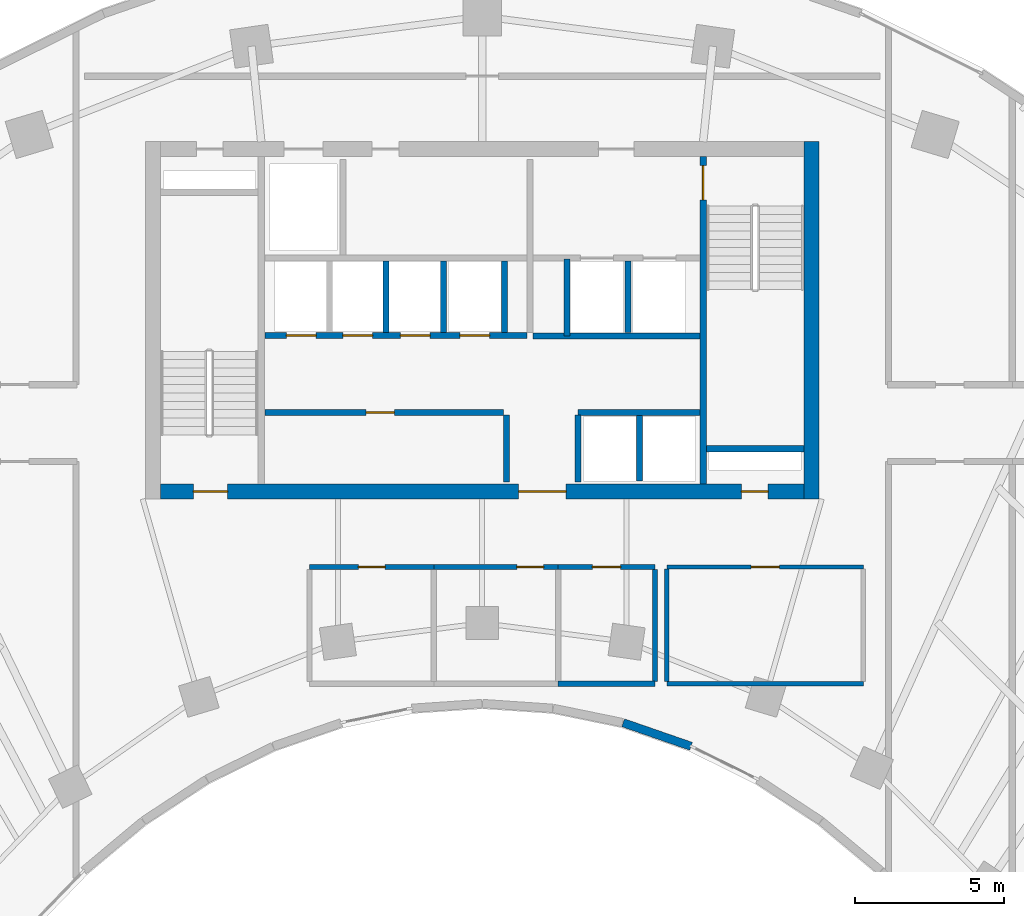
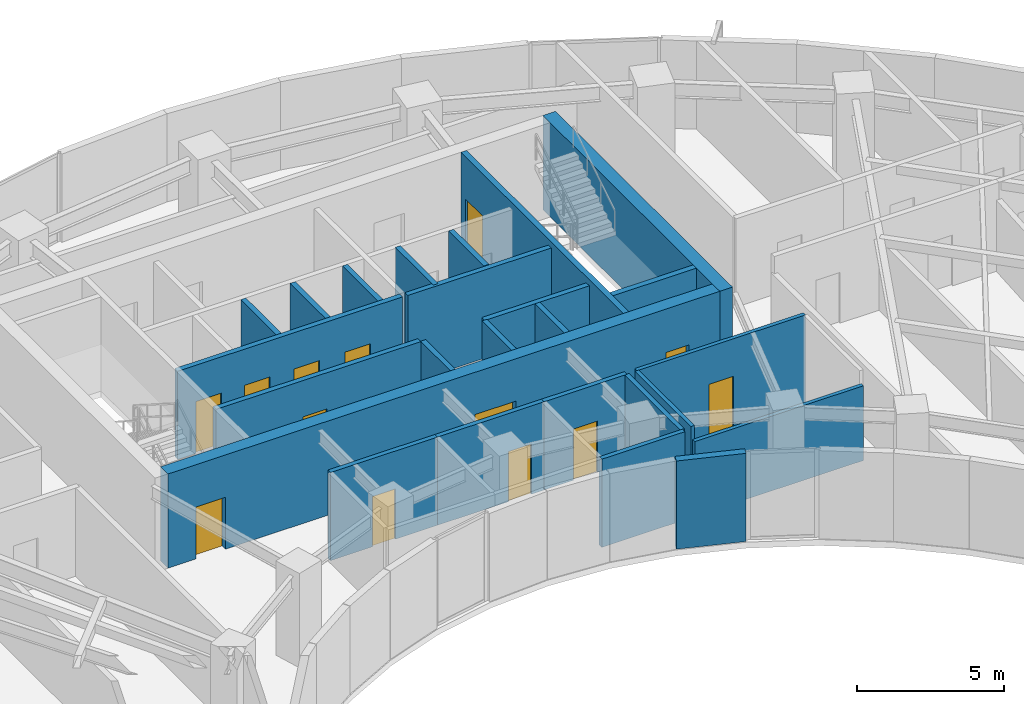
# One storey, part 9 of 14: 25 walls, 13 doors, 13 openings.
"""IFC4 building model written with IfcOpenShell, lengths in metres."""

from ifc_helpers import new_model, si_unit, direction, frame, frame_2d, origin, place, context, subcontext, project, spatial, rectangle, extrude, source, transform, mapped, material, layer, layer_set, type_object, type_shapes, element, fill, save


model = new_model("IFC4")

# Units and contexts
model_context = context("Model", 3, precision=1e-05, world=origin(), true_north=direction((0.0, 1.0)))
body_context = subcontext(model_context, "Body", "Model", "MODEL_VIEW")
ifc_project = project(units=[si_unit("LENGTHUNIT", "METRE"), si_unit("AREAUNIT", "SQUARE_METRE"), si_unit("VOLUMEUNIT", "CUBIC_METRE"), si_unit("PLANEANGLEUNIT", "RADIAN"), si_unit("MASSUNIT", "GRAM", prefix="KILO")], contexts=[model_context])

# Site, building, storey
site_placement = place(None, origin())
site = spatial("IfcSite", under=ifc_project, at=site_placement, CompositionType="ELEMENT")
building_placement = place(site_placement, origin())
building = spatial("IfcBuilding", under=site, at=building_placement, Name="Breltana Convention Tower", CompositionType="ELEMENT")
storey_placement = place(building_placement, frame((0.0, 0.0, 131.10009765625)))
storey = spatial("IfcBuildingStorey", under=building, at=storey_placement, Name="L31", CompositionType="ELEMENT", Elevation=131.10009765625)

# Wall
ifc_material_1 = material(Name="Concrete C60/75", Category="concrete")
ifc_layer_1 = layer(ifc_material_1, 0.5, Name="Concrete C60/75")
ifc_layer_set_1 = layer_set([ifc_layer_1], Name="Concrete C60/75")
wall_type_1 = type_object("IfcWallType", Name="SW-CORE-500", PredefinedType="SHEAR", material=ifc_layer_set_1)
shared_shape_1 = source(origin(), body_context, "Body", "SweptSolid", [
    extrude(rectangle(XDim=12.0, YDim=0.5, at=frame_2d((6.0, 0.0))), origin(), (0.0, 0.0, 1.0), 3.89990234375),
])
wall_1_placement = place(storey_placement, frame((59.050048828125, 60.199951171875, 0.0), z_axis=(0.0, 0.0, 1.0), x_axis=(0.0, 1.0, 0.0)))
element("IfcWall", 1, at=wall_1_placement, inside=storey, type_object=wall_type_1, Name="L31 East Core Shear Wall", PredefinedType="SHEAR", context=body_context, shape_type="MappedRepresentation", body=[
    mapped(shared_shape_1, transform((0.0, 0.0, 0.0), scale=1.0)),
])

# Wall, openings, doors
shared_shape_2 = source(origin(), body_context, "Body", "SweptSolid", [
    extrude(rectangle(XDim=21.60009765625, YDim=0.5, at=frame_2d((10.800048828125, 0.0))), origin(), (0.0, 0.0, 1.0), 3.89990234375),
])
wall_2_placement = place(storey_placement, frame((37.199951171875, 60.449951171875, 0.0), z_axis=(0.0, 0.0, 1.0), x_axis=(1.0, 0.0, 0.0)))
wall_2 = element("IfcWall", 2, at=wall_2_placement, inside=storey, type_object=wall_type_1, Name="L31 South Core Shear Wall", PredefinedType="SHEAR", context=body_context, shape_type="MappedRepresentation", body=[
    mapped(shared_shape_2, transform((0.0, 0.0, 0.0), scale=1.0)),
])
opening_1_placement = place(wall_2_placement, frame((1.10009765625, 0.0, 0.0)))
opening_1 = element("IfcOpeningElement", 3, at=opening_1_placement, cuts=wall_2, Name="Opening D-11", PredefinedType="OPENING", context=body_context, shape_type="SweptSolid", body=[
    extrude(rectangle(XDim=1.14990234375, YDim=2.14990234375, at=frame_2d((0.574951171875, 1.074951171875))), frame((0.0, 0.260009765625, 0.0), z_axis=(0.0, -1.0, 0.0), x_axis=(1.0, 0.0, 0.0)), (0.0, 0.0, 1.0), 0.52001953125),
])
opening_2_placement = place(wall_2_placement, frame((19.5, 0.0, 0.0)))
opening_2 = element("IfcOpeningElement", 4, at=opening_2_placement, cuts=wall_2, Name="Opening D-18", PredefinedType="OPENING", context=body_context, shape_type="SweptSolid", body=[
    extrude(rectangle(XDim=0.89990234375, YDim=2.10009765625, at=frame_2d((0.449951171875, 1.050048828125))), frame((0.0, 0.260009765625, 0.0), z_axis=(0.0, -1.0, 0.0), x_axis=(1.0, 0.0, 0.0)), (0.0, 0.0, 1.0), 0.52001953125),
])
opening_3_placement = place(wall_2_placement, frame((12.02001953125, 0.0, 0.0)))
opening_3 = element("IfcOpeningElement", 5, at=opening_3_placement, cuts=wall_2, Name="Opening D-02", PredefinedType="OPENING", context=body_context, shape_type="SweptSolid", body=[
    extrude(rectangle(XDim=1.60009765625, YDim=2.14990234375, at=frame_2d((0.800048828125, 1.074951171875))), frame((0.0, 0.260009765625, 0.0), z_axis=(0.0, -1.0, 0.0), x_axis=(1.0, 0.0, 0.0)), (0.0, 0.0, 1.0), 0.52001953125),
])
ifc_material_2 = material(Name="Steel Stair Exit Door", Category="steel")
door_type_1 = type_object("IfcDoorType", Name="DR-FD120-1150", OperationType="NOTDEFINED", PredefinedType="DOOR", material=ifc_material_2)
shared_shape_3 = source(origin(), body_context, "Body", "SweptSolid", [
    extrude(rectangle(XDim=1.14990234375, YDim=2.14990234375, at=frame_2d((0.574951171875, 1.074951171875))), frame((0.0, 0.02490234375, 0.0), z_axis=(0.0, -1.0, 0.0), x_axis=(1.0, 0.0, 0.0)), (0.0, 0.0, 1.0), 0.050048828125),
])
type_shapes(door_type_1, [shared_shape_3])
door_1_placement = place(opening_1_placement, origin())
door_1 = element("IfcDoor", 6, at=door_1_placement, inside=storey, type_object=door_type_1, Name="L31 interior door D-L31-ST1", OperationType="SINGLE_SWING_LEFT", OverallHeight=2.14990234375, OverallWidth=1.14990234375, PredefinedType="DOOR", context=body_context, shape_type="MappedRepresentation", body=[
    mapped(shared_shape_3, transform((0.0, 0.0, 0.0), scale=1.0)),
])
fill(opening_1, door_1)
ifc_material_3 = material(Name="Steel Riser Fire Door", Category="steel")
door_type_2 = type_object("IfcDoorType", Name="DR-FD60-900", OperationType="NOTDEFINED", PredefinedType="DOOR", material=ifc_material_3)
shared_shape_4 = source(origin(), body_context, "Body", "SweptSolid", [
    extrude(rectangle(XDim=0.89990234375, YDim=2.10009765625, at=frame_2d((0.449951171875, 1.050048828125))), frame((0.0, 0.02490234375, 0.0), z_axis=(0.0, -1.0, 0.0), x_axis=(1.0, 0.0, 0.0)), (0.0, 0.0, 1.0), 0.050048828125),
])
type_shapes(door_type_2, [shared_shape_4])
door_2_placement = place(opening_2_placement, origin())
door_2 = element("IfcDoor", 7, at=door_2_placement, inside=storey, type_object=door_type_2, Name="L31 Core Riser Access Door D-L31-RS2", OperationType="SINGLE_SWING_RIGHT", OverallHeight=2.10009765625, OverallWidth=0.89990234375, PredefinedType="DOOR", context=body_context, shape_type="MappedRepresentation", body=[
    mapped(shared_shape_4, transform((0.0, 0.0, 0.0), scale=1.0)),
])
fill(opening_2, door_2)
ifc_material_4 = material(Name="Steel Glazed Smoke-Control Door", Category="steel")
door_type_3 = type_object("IfcDoorType", Name="DR-DBL-FD90-1600", OperationType="DOUBLE_DOOR_SINGLE_SWING", PredefinedType="DOOR", material=ifc_material_4)
shared_shape_5 = source(origin(), body_context, "Body", "SweptSolid", [
    extrude(rectangle(XDim=1.60009765625, YDim=2.14990234375, at=frame_2d((0.800048828125, 1.074951171875))), frame((0.0, 0.02490234375, 0.0), z_axis=(0.0, -1.0, 0.0), x_axis=(1.0, 0.0, 0.0)), (0.0, 0.0, 1.0), 0.050048828125),
])
type_shapes(door_type_3, [shared_shape_5])
door_3_placement = place(opening_3_placement, origin())
door_3 = element("IfcDoor", 8, at=door_3_placement, inside=storey, type_object=door_type_3, Name="L31 interior door D-L31-LLB-S", OperationType="DOUBLE_DOOR_SINGLE_SWING", OverallHeight=2.14990234375, OverallWidth=1.60009765625, PredefinedType="DOOR", context=body_context, shape_type="MappedRepresentation", body=[
    mapped(shared_shape_5, transform((0.0, 0.0, 0.0), scale=1.0)),
])
fill(opening_3, door_3)

# Wall
ifc_material_5 = material(Name="Concrete C50/60", Category="concrete")
ifc_layer_2 = layer(ifc_material_5, 0.39990234375, Name="Concrete C50/60")
ifc_layer_set_2 = layer_set([ifc_layer_2], Name="Concrete C50/60")
wall_type_2 = type_object("IfcWallType", Name="SW-CORE-400", PredefinedType="SHEAR", material=ifc_layer_set_2)
shared_shape_6 = source(origin(), body_context, "Body", "SweptSolid", [
    extrude(rectangle(XDim=3.27001953125, YDim=0.219970703125, at=frame_2d((1.635009765625, 0.0))), origin(), (0.0, 0.0, 1.0), 3.89990234375),
])
wall_3_placement = place(storey_placement, frame((55.530029296875, 61.889892578125, 0.0), z_axis=(0.0, 0.0, 1.0), x_axis=(1.0, 0.0, 0.0)))
element("IfcWall", 9, at=wall_3_placement, inside=storey, type_object=wall_type_2, Name="L31 ST-2 Stairwell South Bearing Wall", PredefinedType="SHEAR", context=body_context, shape_type="MappedRepresentation", body=[
    mapped(shared_shape_6, transform((0.0, 0.0, 0.0), scale=1.0)),
])

# Wall, opening, door
shared_shape_7 = source(origin(), body_context, "Body", "SweptSolid", [
    extrude(rectangle(XDim=11.0, YDim=0.219970703125, at=frame_2d((5.5, 0.0))), origin(), (0.0, 0.0, 1.0), 3.89990234375),
])
wall_4_placement = place(storey_placement, frame((55.419921875, 60.699951171875, 0.0), z_axis=(0.0, 0.0, 1.0), x_axis=(0.0, 1.0, 0.0)))
wall_4 = element("IfcWall", 10, at=wall_4_placement, inside=storey, type_object=wall_type_2, Name="L31 Core East Stair Spine Wall", PredefinedType="SHEAR", context=body_context, shape_type="MappedRepresentation", body=[
    mapped(shared_shape_7, transform((0.0, 0.0, 0.0), scale=1.0)),
])
opening_4_placement = place(wall_4_placement, frame((9.544921875, 0.0, 0.0)))
opening_4 = element("IfcOpeningElement", 11, at=opening_4_placement, cuts=wall_4, Name="Opening D-11", PredefinedType="OPENING", context=body_context, shape_type="SweptSolid", body=[
    extrude(rectangle(XDim=1.14990234375, YDim=2.14990234375, at=frame_2d((0.574951171875, 1.074951171875))), frame((0.0, 0.1201171875, 0.0), z_axis=(0.0, -1.0, 0.0), x_axis=(1.0, 0.0, 0.0)), (0.0, 0.0, 1.0), 0.239990234375),
])
door_4_placement = place(opening_4_placement, origin())
door_4 = element("IfcDoor", 12, at=door_4_placement, inside=storey, type_object=door_type_1, Name="L31 interior door D-L31-ST2", OperationType="SINGLE_SWING_LEFT", OverallHeight=2.14990234375, OverallWidth=1.14990234375, PredefinedType="DOOR", context=body_context, shape_type="MappedRepresentation", body=[
    mapped(shared_shape_3, transform((0.0, 0.0, 0.0), scale=1.0)),
])
fill(opening_4, door_4)

# Walls
ifc_material_6 = material(Name="Limestone Buff Insulated Wall", Category="masonry")
ifc_layer_3 = layer(ifc_material_6, 0.280029296875, Name="Limestone Buff Insulated Wall")
ifc_layer_set_3 = layer_set([ifc_layer_3], Name="Limestone Buff Insulated Wall")
wall_type_3 = type_object("IfcWallType", Name="WL-EXT-NOSE-280", PredefinedType="SOLIDWALL", material=ifc_layer_set_3)
shared_shape_8 = source(origin(), body_context, "Body", "SweptSolid", [
    extrude(rectangle(XDim=2.41064453125, YDim=0.280029296875, at=frame_2d((1.205322265625, 0.0))), origin(), (0.0, 0.0, 1.0), 3.64990234375),
])
wall_5_placement = place(storey_placement, frame((55.01171875, 51.8994140625, 0.0), z_axis=(0.0, 0.0, 1.0), x_axis=(-0.944880068161, 0.327416640982, 0.0)))
element("IfcWall", 13, at=wall_5_placement, inside=storey, type_object=wall_type_3, Name="L31 curved limestone nose wall E10", PredefinedType="SOLIDWALL", context=body_context, shape_type="MappedRepresentation", body=[
    mapped(shared_shape_8, transform((0.0, 0.0, 0.0), scale=1.0)),
])
ifc_material_7 = material(Name="Autoclaved Aerated Concrete Block", Category="concrete")
ifc_layer_4 = layer(ifc_material_7, 0.199951171875, Name="Autoclaved Aerated Concrete Block")
ifc_layer_set_4 = layer_set([ifc_layer_4], Name="Autoclaved Aerated Concrete Block")
wall_type_4 = type_object("IfcWallType", Name="WL-SHAFT-200", PredefinedType="SOLIDWALL", material=ifc_layer_set_4)
shared_shape_9 = source(origin(), body_context, "Body", "SweptSolid", [
    extrude(rectangle(XDim=2.239990234375, YDim=0.199951171875, at=frame_2d((1.1201171875, 0.0))), origin(), (0.0, 0.0, 1.0), 3.64990234375),
])
for number, where, z_axis, x_axis, name in (
    (14, (48.820068359375, 60.780029296875, 0.0), (0.0, 0.0, 1.0), (0.0, 1.0, 0.0), "L31 interior partition W-L31-PORT-W"),
    (15, (51.219970703125, 60.780029296875, 0.0), (0.0, 0.0, 1.0), (0.0, 1.0, 0.0), "L31 interior partition W-L31-PORT-E"),
):
    element("IfcWall", number, at=place(storey_placement, frame(where, z_axis=z_axis, x_axis=x_axis)), inside=storey, type_object=wall_type_4, Name=name, PredefinedType="SOLIDWALL", context=body_context, shape_type="MappedRepresentation", body=[
        mapped(shared_shape_9, transform((0.0, 0.0, 0.0), scale=1.0)),
    ])
shared_shape_10 = source(origin(), body_context, "Body", "SweptSolid", [
    extrude(rectangle(XDim=5.6201171875, YDim=0.199951171875, at=frame_2d((2.81005859375, 0.0))), origin(), (0.0, 0.0, 1.0), 3.64990234375),
])
wall_6_placement = place(storey_placement, frame((49.699951171875, 65.679931640625, 0.0), z_axis=(0.0, 0.0, 1.0), x_axis=(1.0, 0.0, 0.0)))
element("IfcWall", 16, at=wall_6_placement, inside=storey, type_object=wall_type_4, Name="L31 interior partition W-L31-FL-S", PredefinedType="SOLIDWALL", context=body_context, shape_type="MappedRepresentation", body=[
    mapped(shared_shape_10, transform((0.0, 0.0, 0.0), scale=1.0)),
])
shared_shape_11 = source(origin(), body_context, "Body", "SweptSolid", [
    extrude(rectangle(XDim=2.580078125, YDim=0.199951171875, at=frame_2d((1.2900390625, 0.0))), origin(), (0.0, 0.0, 1.0), 3.64990234375),
])
wall_7_placement = place(storey_placement, frame((50.85009765625, 65.679931640625, 0.0), z_axis=(0.0, 0.0, 1.0), x_axis=(0.0, 1.0, 0.0)))
element("IfcWall", 17, at=wall_7_placement, inside=storey, type_object=wall_type_4, Name="L31 interior partition W-L31-FL-W", PredefinedType="SOLIDWALL", context=body_context, shape_type="MappedRepresentation", body=[
    mapped(shared_shape_11, transform((0.0, 0.0, 0.0), scale=1.0)),
])
shared_shape_12 = source(origin(), body_context, "Body", "SweptSolid", [
    extrude(rectangle(XDim=2.39990234375, YDim=0.199951171875, at=frame_2d((1.199951171875, 0.0))), origin(), (0.0, 0.0, 1.0), 3.64990234375),
])
for number, where, z_axis, x_axis, name in (
    (18, (52.89990234375, 65.800048828125, 0.0), (0.0, 0.0, 1.0), (0.0, 1.0, 0.0), "L31 interior partition W-L31-FL-DIV"),
    (19, (48.75, 65.800048828125, 0.0), (0.0, 0.0, 1.0), (0.0, 1.0, 0.0), "L31 interior partition W-L31-SH-M-END"),
    (20, (44.77001953125, 65.800048828125, 0.0), (0.0, 0.0, 1.0), (0.0, 1.0, 0.0), "L31 interior partition W-L31-SH-M-DIV2"),
    (21, (46.699951171875, 65.800048828125, 0.0), (0.0, 0.0, 1.0), (0.0, 1.0, 0.0), "L31 interior partition W-L31-SH-M-DIV3"),
):
    element("IfcWall", number, at=place(storey_placement, frame(where, z_axis=z_axis, x_axis=x_axis)), inside=storey, type_object=wall_type_4, Name=name, PredefinedType="SOLIDWALL", context=body_context, shape_type="MappedRepresentation", body=[
        mapped(shared_shape_12, transform((0.0, 0.0, 0.0), scale=1.0)),
    ])

# Wall, openings, doors
shared_shape_13 = source(origin(), body_context, "Body", "SweptSolid", [
    extrude(rectangle(XDim=8.800048828125, YDim=0.199951171875, at=frame_2d((4.39990234375, 0.0))), origin(), (0.0, 0.0, 1.0), 3.64990234375),
])
wall_8_placement = place(storey_placement, frame((40.699951171875, 65.699951171875, 0.0), z_axis=(0.0, 0.0, 1.0), x_axis=(1.0, 0.0, 0.0)))
wall_8 = element("IfcWall", 22, at=wall_8_placement, inside=storey, type_object=wall_type_4, Name="L31 interior partition W-L31-SH-M-FRONT", PredefinedType="SOLIDWALL", context=body_context, shape_type="MappedRepresentation", body=[
    mapped(shared_shape_13, transform((0.0, 0.0, 0.0), scale=1.0)),
])
opening_5_placement = place(wall_8_placement, frame((0.719970703125, 0.0, 0.0)))
opening_5 = element("IfcOpeningElement", 23, at=opening_5_placement, cuts=wall_8, Name="Opening LD-04", PredefinedType="OPENING", context=body_context, shape_type="SweptSolid", body=[
    extrude(rectangle(XDim=1.0, YDim=2.14990234375, at=frame_2d((0.5, 1.074951171875))), frame((0.0, 0.10986328125, 0.0), z_axis=(0.0, -1.0, 0.0), x_axis=(1.0, 0.0, 0.0)), (0.0, 0.0, 1.0), 0.219970703125),
])
opening_6_placement = place(wall_8_placement, frame((2.6201171875, 0.0, 0.0)))
opening_6 = element("IfcOpeningElement", 24, at=opening_6_placement, cuts=wall_8, Name="Opening LD-04", PredefinedType="OPENING", context=body_context, shape_type="SweptSolid", body=[
    extrude(rectangle(XDim=1.0, YDim=2.14990234375, at=frame_2d((0.5, 1.074951171875))), frame((0.0, 0.10986328125, 0.0), z_axis=(0.0, -1.0, 0.0), x_axis=(1.0, 0.0, 0.0)), (0.0, 0.0, 1.0), 0.219970703125),
])
opening_7_placement = place(wall_8_placement, frame((4.550048828125, 0.0, 0.0)))
opening_7 = element("IfcOpeningElement", 25, at=opening_7_placement, cuts=wall_8, Name="Opening LD-04", PredefinedType="OPENING", context=body_context, shape_type="SweptSolid", body=[
    extrude(rectangle(XDim=1.0, YDim=2.14990234375, at=frame_2d((0.5, 1.074951171875))), frame((0.0, 0.10986328125, 0.0), z_axis=(0.0, -1.0, 0.0), x_axis=(1.0, 0.0, 0.0)), (0.0, 0.0, 1.0), 0.219970703125),
])
opening_8_placement = place(wall_8_placement, frame((6.550048828125, 0.0, 0.0)))
opening_8 = element("IfcOpeningElement", 26, at=opening_8_placement, cuts=wall_8, Name="Opening LD-04", PredefinedType="OPENING", context=body_context, shape_type="SweptSolid", body=[
    extrude(rectangle(XDim=1.0, YDim=2.14990234375, at=frame_2d((0.5, 1.074951171875))), frame((0.0, 0.10986328125, 0.0), z_axis=(0.0, -1.0, 0.0), x_axis=(1.0, 0.0, 0.0)), (0.0, 0.0, 1.0), 0.219970703125),
])
ifc_material_8 = material(Name="Stainless Steel Brushed", Category="steel")
door_type_4 = type_object("IfcDoorType", Name="DR-LD-PAX-1000", OperationType="DOUBLE_DOOR_SLIDING", PredefinedType="DOOR", material=ifc_material_8)
shared_shape_14 = source(origin(), body_context, "Body", "SweptSolid", [
    extrude(rectangle(XDim=1.0, YDim=2.14990234375, at=frame_2d((0.5, 1.074951171875))), frame((0.0, 0.02490234375, 0.0), z_axis=(0.0, -1.0, 0.0), x_axis=(1.0, 0.0, 0.0)), (0.0, 0.0, 1.0), 0.050048828125),
])
type_shapes(door_type_4, [shared_shape_14])
door_5_placement = place(opening_5_placement, origin())
door_5 = element("IfcDoor", 27, at=door_5_placement, inside=storey, type_object=door_type_4, Name="L31 Lift Landing Door D-L31-LD-M1", OperationType="DOUBLE_DOOR_SLIDING", OverallHeight=2.14990234375, OverallWidth=1.0, PredefinedType="DOOR", context=body_context, shape_type="MappedRepresentation", body=[
    mapped(shared_shape_14, transform((0.0, 0.0, 0.0), scale=1.0)),
])
fill(opening_5, door_5)
door_6_placement = place(opening_6_placement, origin())
door_6 = element("IfcDoor", 28, at=door_6_placement, inside=storey, type_object=door_type_4, Name="L31 Lift Landing Door D-L31-LD-M2", OperationType="DOUBLE_DOOR_SLIDING", OverallHeight=2.14990234375, OverallWidth=1.0, PredefinedType="DOOR", context=body_context, shape_type="MappedRepresentation", body=[
    mapped(shared_shape_14, transform((0.0, 0.0, 0.0), scale=1.0)),
])
fill(opening_6, door_6)
door_7_placement = place(opening_7_placement, origin())
door_7 = element("IfcDoor", 29, at=door_7_placement, inside=storey, type_object=door_type_4, Name="L31 Lift Landing Door D-L31-LD-M3", OperationType="DOUBLE_DOOR_SLIDING", OverallHeight=2.14990234375, OverallWidth=1.0, PredefinedType="DOOR", context=body_context, shape_type="MappedRepresentation", body=[
    mapped(shared_shape_14, transform((0.0, 0.0, 0.0), scale=1.0)),
])
fill(opening_7, door_7)
door_8_placement = place(opening_8_placement, origin())
door_8 = element("IfcDoor", 30, at=door_8_placement, inside=storey, type_object=door_type_4, Name="L31 Lift Landing Door D-L31-LD-M4", OperationType="DOUBLE_DOOR_SLIDING", OverallHeight=2.14990234375, OverallWidth=1.0, PredefinedType="DOOR", context=body_context, shape_type="MappedRepresentation", body=[
    mapped(shared_shape_14, transform((0.0, 0.0, 0.0), scale=1.0)),
])
fill(opening_8, door_8)

# Wall, opening, door
shared_shape_15 = source(origin(), body_context, "Body", "SweptSolid", [
    extrude(rectangle(XDim=8.02001953125, YDim=0.199951171875, at=frame_2d((4.010009765625, 0.0))), origin(), (0.0, 0.0, 1.0), 3.64990234375),
])
wall_9_placement = place(storey_placement, frame((40.699951171875, 63.10009765625, 0.0), z_axis=(0.0, 0.0, 1.0), x_axis=(1.0, 0.0, 0.0)))
wall_9 = element("IfcWall", 31, at=wall_9_placement, inside=storey, type_object=wall_type_4, Name="L31 interior partition W-L31-SH-S-FRONT", PredefinedType="SOLIDWALL", context=body_context, shape_type="MappedRepresentation", body=[
    mapped(shared_shape_15, transform((0.0, 0.0, 0.0), scale=1.0)),
])
opening_9_placement = place(wall_9_placement, frame((3.39990234375, 0.0, 0.0)))
opening_9 = element("IfcOpeningElement", 32, at=opening_9_placement, cuts=wall_9, Name="Opening D-14", PredefinedType="OPENING", context=body_context, shape_type="SweptSolid", body=[
    extrude(rectangle(XDim=0.949951171875, YDim=2.14990234375, at=frame_2d((0.47509765625, 1.074951171875))), frame((0.0, 0.10986328125, 0.0), z_axis=(0.0, -1.0, 0.0), x_axis=(1.0, 0.0, 0.0)), (0.0, 0.0, 1.0), 0.219970703125),
])
ifc_material_9 = material(Name="Timber Solid-Core Fire Door", Category="wood")
door_type_5 = type_object("IfcDoorType", Name="DR-FD60-950", OperationType="NOTDEFINED", PredefinedType="DOOR", material=ifc_material_9)
shared_shape_16 = source(origin(), body_context, "Body", "SweptSolid", [
    extrude(rectangle(XDim=0.949951171875, YDim=2.14990234375, at=frame_2d((0.47509765625, 1.074951171875))), frame((0.0, 0.02490234375, 0.0), z_axis=(0.0, -1.0, 0.0), x_axis=(1.0, 0.0, 0.0)), (0.0, 0.0, 1.0), 0.050048828125),
])
type_shapes(door_type_5, [shared_shape_16])
door_9_placement = place(opening_9_placement, origin())
door_9 = element("IfcDoor", 33, at=door_9_placement, inside=storey, type_object=door_type_5, Name="L31 interior door D-L31-LV7-B1A", OperationType="SINGLE_SWING_RIGHT", OverallHeight=2.14990234375, OverallWidth=0.949951171875, PredefinedType="DOOR", context=body_context, shape_type="MappedRepresentation", body=[
    mapped(shared_shape_16, transform((0.0, 0.0, 0.0), scale=1.0)),
])
fill(opening_9, door_9)

# Walls
shared_shape_17 = source(origin(), body_context, "Body", "SweptSolid", [
    extrude(rectangle(XDim=4.10009765625, YDim=0.199951171875, at=frame_2d((2.050048828125, 0.0))), origin(), (0.0, 0.0, 1.0), 3.64990234375),
])
wall_10_placement = place(storey_placement, frame((51.219970703125, 63.10009765625, 0.0), z_axis=(0.0, 0.0, 1.0), x_axis=(1.0, 0.0, 0.0)))
element("IfcWall", 34, at=wall_10_placement, inside=storey, type_object=wall_type_4, Name="L31 interior partition W-L31-SH-X-FRONT", PredefinedType="SOLIDWALL", context=body_context, shape_type="MappedRepresentation", body=[
    mapped(shared_shape_17, transform((0.0, 0.0, 0.0), scale=1.0)),
])
shared_shape_18 = source(origin(), body_context, "Body", "SweptSolid", [
    extrude(rectangle(XDim=2.199951171875, YDim=0.199951171875, at=frame_2d((1.10009765625, 0.0))), origin(), (0.0, 0.0, 1.0), 3.64990234375),
])
wall_11_placement = place(storey_placement, frame((53.280029296875, 60.800048828125, 0.0), z_axis=(0.0, 0.0, 1.0), x_axis=(0.0, 1.0, 0.0)))
element("IfcWall", 35, at=wall_11_placement, inside=storey, type_object=wall_type_4, Name="L31 interior partition W-L31-SH-X-DIV", PredefinedType="SOLIDWALL", context=body_context, shape_type="MappedRepresentation", body=[
    mapped(shared_shape_18, transform((0.0, 0.0, 0.0), scale=1.0)),
])

# Wall, opening, door
ifc_material_10 = material(Name="Moisture-Resistant Gypsum Chase Wall")
ifc_layer_5 = layer(ifc_material_10, 0.179931640625, Name="Moisture-Resistant Gypsum Chase Wall")
ifc_layer_set_5 = layer_set([ifc_layer_5], Name="Moisture-Resistant Gypsum Chase Wall")
wall_type_5 = type_object("IfcWallType", Name="WL-PLUMB-180", PredefinedType="PLUMBINGWALL", material=ifc_layer_set_5)
shared_shape_19 = source(origin(), body_context, "Body", "SweptSolid", [
    extrude(rectangle(XDim=4.176025390625, YDim=0.179931640625, at=frame_2d((2.087890625, 0.0))), origin(), (0.0, 0.0, 1.0), 3.64990234375),
])
wall_12_placement = place(storey_placement, frame((42.199951171875, 57.919921875, 0.0), z_axis=(0.0, 0.0, 1.0), x_axis=(1.0, 0.0, 0.0)))
wall_12 = element("IfcWall", 36, at=wall_12_placement, inside=storey, type_object=wall_type_5, Name="L31 interior partition W-L31-WCM-N", PredefinedType="PLUMBINGWALL", context=body_context, shape_type="MappedRepresentation", body=[
    mapped(shared_shape_19, transform((0.0, 0.0, 0.0), scale=1.0)),
])
opening_10_placement = place(wall_12_placement, frame((1.637939453125, 0.0, 0.0)))
opening_10 = element("IfcOpeningElement", 37, at=opening_10_placement, cuts=wall_12, Name="Opening D-19", PredefinedType="OPENING", context=body_context, shape_type="SweptSolid", body=[
    extrude(rectangle(XDim=0.89990234375, YDim=2.080078125, at=frame_2d((0.449951171875, 1.0400390625))), frame((0.0, 0.10009765625, 0.0), z_axis=(0.0, -1.0, 0.0), x_axis=(1.0, 0.0, 0.0)), (0.0, 0.0, 1.0), 0.199951171875),
])
ifc_material_11 = material(Name="Timber Moisture-Resistant Door", Category="wood")
door_type_6 = type_object("IfcDoorType", Name="DR-WC-900", OperationType="NOTDEFINED", PredefinedType="DOOR", material=ifc_material_11)
shared_shape_20 = source(origin(), body_context, "Body", "SweptSolid", [
    extrude(rectangle(XDim=0.89990234375, YDim=2.080078125, at=frame_2d((0.449951171875, 1.0400390625))), frame((0.0, 0.02490234375, 0.0), z_axis=(0.0, -1.0, 0.0), x_axis=(1.0, 0.0, 0.0)), (0.0, 0.0, 1.0), 0.050048828125),
])
type_shapes(door_type_6, [shared_shape_20])
door_10_placement = place(opening_10_placement, origin())
door_10 = element("IfcDoor", 38, at=door_10_placement, inside=storey, type_object=door_type_6, Name="L31 interior door D-L31-WCM", OperationType="SINGLE_SWING_LEFT", OverallHeight=2.080078125, OverallWidth=0.89990234375, PredefinedType="DOOR", context=body_context, shape_type="MappedRepresentation", body=[
    mapped(shared_shape_20, transform((0.0, 0.0, 0.0), scale=1.0)),
])
fill(opening_10, door_10)

wall_13_placement = place(storey_placement, frame((46.3759765625, 57.919921875, 0.0), z_axis=(0.0, 0.0, 1.0), x_axis=(1.0, 0.0, 0.0)))
wall_13 = element("IfcWall", 39, at=wall_13_placement, inside=storey, type_object=wall_type_5, Name="L31 interior partition W-L31-WCF-N", PredefinedType="PLUMBINGWALL", context=body_context, shape_type="MappedRepresentation", body=[
    mapped(shared_shape_19, transform((0.0, 0.0, 0.0), scale=1.0)),
])
opening_11_placement = place(wall_13_placement, frame((2.7880859375, 0.0, 0.0)))
opening_11 = element("IfcOpeningElement", 40, at=opening_11_placement, cuts=wall_13, Name="Opening D-19", PredefinedType="OPENING", context=body_context, shape_type="SweptSolid", body=[
    extrude(rectangle(XDim=0.89990234375, YDim=2.080078125, at=frame_2d((0.449951171875, 1.0400390625))), frame((0.0, 0.10009765625, 0.0), z_axis=(0.0, -1.0, 0.0), x_axis=(1.0, 0.0, 0.0)), (0.0, 0.0, 1.0), 0.199951171875),
])
door_11_placement = place(opening_11_placement, origin())
door_11 = element("IfcDoor", 41, at=door_11_placement, inside=storey, type_object=door_type_6, Name="L31 interior door D-L31-WCF", OperationType="SINGLE_SWING_RIGHT", OverallHeight=2.080078125, OverallWidth=0.89990234375, PredefinedType="DOOR", context=body_context, shape_type="MappedRepresentation", body=[
    mapped(shared_shape_20, transform((0.0, 0.0, 0.0), scale=1.0)),
])
fill(opening_11, door_11)

# Walls
ifc_material_12 = material(Name="Cement Board Wet-Area Partition")
ifc_layer_6 = layer(ifc_material_12, 0.175048828125, Name="Cement Board Wet-Area Partition")
ifc_layer_set_6 = layer_set([ifc_layer_6], Name="Cement Board Wet-Area Partition")
wall_type_6 = type_object("IfcWallType", Name="WL-WET-175", PredefinedType="PARTITIONING", material=ifc_layer_set_6)
shared_shape_21 = source(origin(), body_context, "Body", "SweptSolid", [
    extrude(rectangle(XDim=3.7626953125, YDim=0.175048828125, at=frame_2d((1.88134765625, 0.0))), origin(), (0.0, 0.0, 1.0), 3.64990234375),
])
wall_14_placement = place(storey_placement, frame((53.800048828125, 54.07861328125, 0.0), z_axis=(0.0, 0.0, 1.0), x_axis=(0.0, 1.0, 0.0)))
element("IfcWall", 42, at=wall_14_placement, inside=storey, type_object=wall_type_6, Name="L31 interior partition W-L31-WCA-E", PredefinedType="PARTITIONING", context=body_context, shape_type="MappedRepresentation", body=[
    mapped(shared_shape_21, transform((0.0, 0.0, 0.0), scale=1.0)),
])
shared_shape_22 = source(origin(), body_context, "Body", "SweptSolid", [
    extrude(rectangle(XDim=3.248046875, YDim=0.175048828125, at=frame_2d((1.6240234375, 0.0))), origin(), (0.0, 0.0, 1.0), 3.64990234375),
])
wall_15_placement = place(storey_placement, frame((50.552001953125, 54.0, 0.0), z_axis=(0.0, 0.0, 1.0), x_axis=(1.0, 0.0, 0.0)))
element("IfcWall", 43, at=wall_15_placement, inside=storey, type_object=wall_type_6, Name="L31 interior partition W-L31-WCA-S", PredefinedType="PARTITIONING", context=body_context, shape_type="MappedRepresentation", body=[
    mapped(shared_shape_22, transform((0.0, 0.0, 0.0), scale=1.0)),
])

# Wall, opening, door
shared_shape_23 = source(origin(), body_context, "Body", "SweptSolid", [
    extrude(rectangle(XDim=3.248046875, YDim=0.179931640625, at=frame_2d((1.6240234375, 0.0))), origin(), (0.0, 0.0, 1.0), 3.64990234375),
])
wall_16_placement = place(storey_placement, frame((50.552001953125, 57.919921875, 0.0), z_axis=(0.0, 0.0, 1.0), x_axis=(1.0, 0.0, 0.0)))
wall_16 = element("IfcWall", 44, at=wall_16_placement, inside=storey, type_object=wall_type_5, Name="L31 interior partition W-L31-WCA-N", PredefinedType="PLUMBINGWALL", context=body_context, shape_type="MappedRepresentation", body=[
    mapped(shared_shape_23, transform((0.0, 0.0, 0.0), scale=1.0)),
])
opening_12_placement = place(wall_16_placement, frame((1.14892578125, 0.0, 0.0)))
opening_12 = element("IfcOpeningElement", 45, at=opening_12_placement, cuts=wall_16, Name="Opening D-16", PredefinedType="OPENING", context=body_context, shape_type="SweptSolid", body=[
    extrude(rectangle(XDim=0.949951171875, YDim=2.1201171875, at=frame_2d((0.47509765625, 1.06005859375))), frame((0.0, 0.10009765625, 0.0), z_axis=(0.0, -1.0, 0.0), x_axis=(1.0, 0.0, 0.0)), (0.0, 0.0, 1.0), 0.199951171875),
])
ifc_material_13 = material(Name="Timber Laminate Accessible Door", Category="wood")
door_type_7 = type_object("IfcDoorType", Name="DR-ACC-950", OperationType="NOTDEFINED", PredefinedType="DOOR", material=ifc_material_13)
shared_shape_24 = source(origin(), body_context, "Body", "SweptSolid", [
    extrude(rectangle(XDim=0.949951171875, YDim=2.1201171875, at=frame_2d((0.47509765625, 1.06005859375))), frame((0.0, 0.02490234375, 0.0), z_axis=(0.0, -1.0, 0.0), x_axis=(1.0, 0.0, 0.0)), (0.0, 0.0, 1.0), 0.050048828125),
])
type_shapes(door_type_7, [shared_shape_24])
door_12_placement = place(opening_12_placement, origin())
door_12 = element("IfcDoor", 46, at=door_12_placement, inside=storey, type_object=door_type_7, Name="L31 interior door D-L31-WCA", OperationType="SINGLE_SWING_LEFT", OverallHeight=2.1201171875, OverallWidth=0.949951171875, PredefinedType="DOOR", context=body_context, shape_type="MappedRepresentation", body=[
    mapped(shared_shape_24, transform((0.0, 0.0, 0.0), scale=1.0)),
])
fill(opening_12, door_12)

# Wall
ifc_material_14 = material(Name="Gypsum Acoustic Drywall Partition")
ifc_layer_7 = layer(ifc_material_14, 0.14990234375, Name="Gypsum Acoustic Drywall Partition")
ifc_layer_set_7 = layer_set([ifc_layer_7], Name="Gypsum Acoustic Drywall Partition")
wall_type_7 = type_object("IfcWallType", Name="WL-PART-150", PredefinedType="PARTITIONING", material=ifc_layer_set_7)
shared_shape_25 = source(origin(), body_context, "Body", "SweptSolid", [
    extrude(rectangle(XDim=6.60009765625, YDim=0.14990234375, at=frame_2d((3.300048828125, 0.0))), origin(), (0.0, 0.0, 1.0), 3.094970703125),
])
wall_17_placement = place(storey_placement, frame((54.199951171875, 54.0, 0.0), z_axis=(0.0, 0.0, 1.0), x_axis=(1.0, 0.0, 0.0)))
element("IfcWall", 47, at=wall_17_placement, inside=storey, type_object=wall_type_7, Name="L31 interior partition W-L31-PNT-S", PredefinedType="PARTITIONING", context=body_context, shape_type="MappedRepresentation", body=[
    mapped(shared_shape_25, transform((0.0, 0.0, 0.0), scale=1.0)),
])

# Wall, opening, door
shared_shape_26 = source(origin(), body_context, "Body", "SweptSolid", [
    extrude(rectangle(XDim=6.60009765625, YDim=0.14990234375, at=frame_2d((3.300048828125, 0.0))), origin(), (0.0, 0.0, 1.0), 3.64990234375),
])
wall_18_placement = place(storey_placement, frame((54.199951171875, 57.919921875, 0.0), z_axis=(0.0, 0.0, 1.0), x_axis=(1.0, 0.0, 0.0)))
wall_18 = element("IfcWall", 48, at=wall_18_placement, inside=storey, type_object=wall_type_7, Name="L31 interior partition W-L31-PNT-N", PredefinedType="PARTITIONING", context=body_context, shape_type="MappedRepresentation", body=[
    mapped(shared_shape_26, transform((0.0, 0.0, 0.0), scale=1.0)),
])
opening_13_placement = place(wall_18_placement, frame((2.824951171875, 0.0, 0.0)))
opening_13 = element("IfcOpeningElement", 49, at=opening_13_placement, cuts=wall_18, Name="Opening D-17", PredefinedType="OPENING", context=body_context, shape_type="SweptSolid", body=[
    extrude(rectangle(XDim=0.949951171875, YDim=2.10009765625, at=frame_2d((0.47509765625, 1.050048828125))), frame((0.0, 0.0849609375, 0.0), z_axis=(0.0, -1.0, 0.0), x_axis=(1.0, 0.0, 0.0)), (0.0, 0.0, 1.0), 0.169921875),
])
ifc_material_15 = material(Name="Timber Oak Veneer Door", Category="wood")
door_type_8 = type_object("IfcDoorType", Name="DR-INT-950", OperationType="NOTDEFINED", PredefinedType="DOOR", material=ifc_material_15)
shared_shape_27 = source(origin(), body_context, "Body", "SweptSolid", [
    extrude(rectangle(XDim=0.949951171875, YDim=2.10009765625, at=frame_2d((0.47509765625, 1.050048828125))), frame((0.0, 0.02490234375, 0.0), z_axis=(0.0, -1.0, 0.0), x_axis=(1.0, 0.0, 0.0)), (0.0, 0.0, 1.0), 0.050048828125),
])
type_shapes(door_type_8, [shared_shape_27])
door_13_placement = place(opening_13_placement, origin())
door_13 = element("IfcDoor", 50, at=door_13_placement, inside=storey, type_object=door_type_8, Name="L31 interior door D-L31-PNT", OperationType="SINGLE_SWING_RIGHT", OverallHeight=2.10009765625, OverallWidth=0.949951171875, PredefinedType="DOOR", context=body_context, shape_type="MappedRepresentation", body=[
    mapped(shared_shape_27, transform((0.0, 0.0, 0.0), scale=1.0)),
])
fill(opening_13, door_13)

# Wall
shared_shape_28 = source(origin(), body_context, "Body", "SweptSolid", [
    extrude(rectangle(XDim=3.78515625, YDim=0.14990234375, at=frame_2d((1.892578125, 0.0))), origin(), (0.0, 0.0, 1.0), 3.64990234375),
])
wall_19_placement = place(storey_placement, frame((54.199951171875, 54.0673828125, 0.0), z_axis=(0.0, 0.0, 1.0), x_axis=(0.0, 1.0, 0.0)))
element("IfcWall", 51, at=wall_19_placement, inside=storey, type_object=wall_type_7, Name="L31 interior partition W-L31-PNT-W", PredefinedType="PARTITIONING", context=body_context, shape_type="MappedRepresentation", body=[
    mapped(shared_shape_28, transform((0.0, 0.0, 0.0), scale=1.0)),
])

save(model, "model.ifc")
